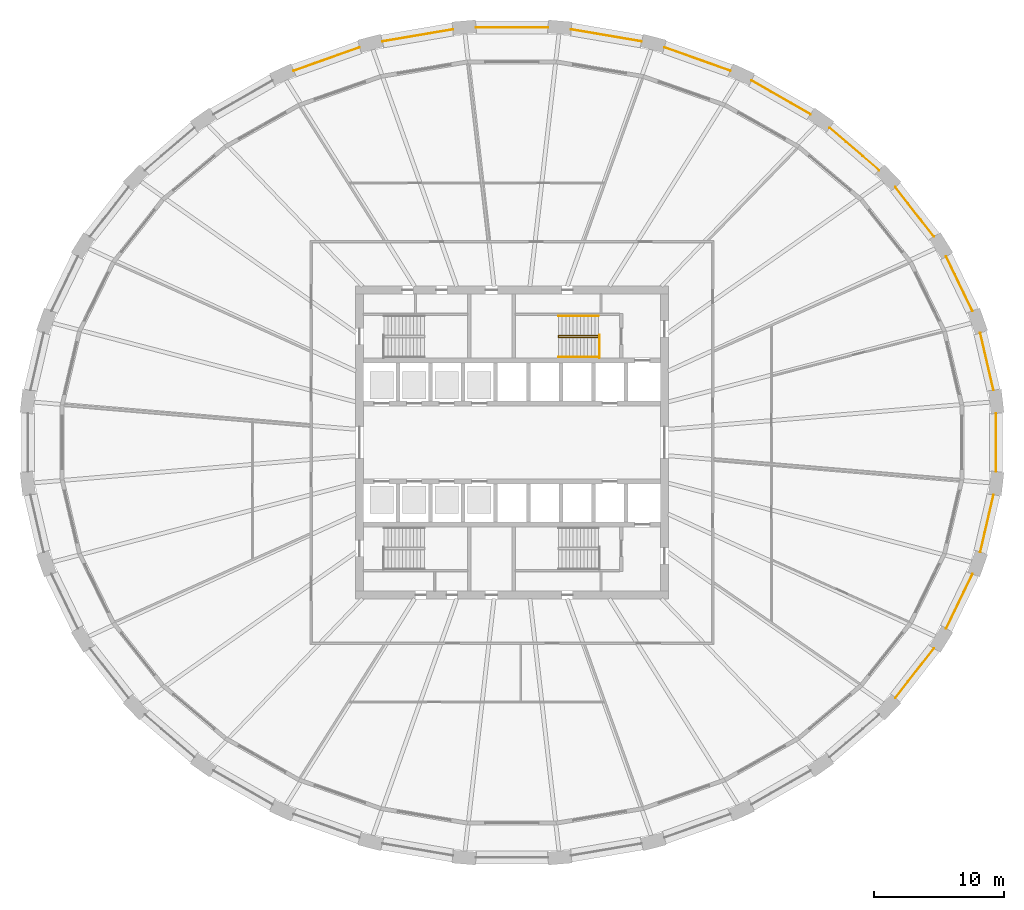
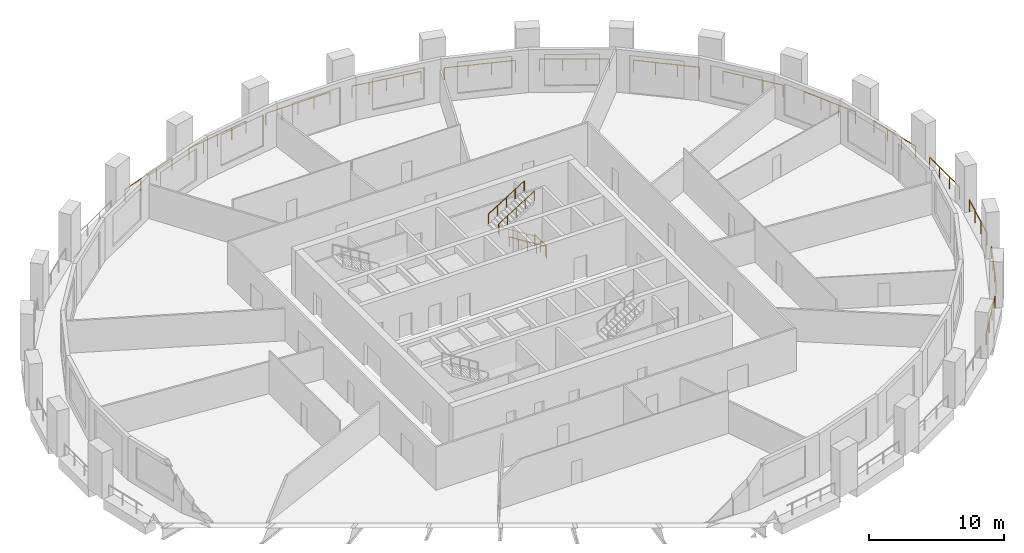
# One storey, part 9 of 10: 18 railings.
"""IFC4 building model written with IfcOpenShell, lengths in metres."""

from ifc_helpers import new_model, si_unit, direction, frame, origin, origin_2d, place, context, subcontext, project, spatial, circle, extrude, material, type_object, element, save


model = new_model("IFC4")

# Units and contexts
model_context = context("Model", 3, precision=1e-05, world=origin(), true_north=direction((0.0, 1.0)))
body_context = subcontext(model_context, "Body", "Model", "MODEL_VIEW")
ifc_project = project(units=[si_unit("LENGTHUNIT", "METRE"), si_unit("AREAUNIT", "SQUARE_METRE"), si_unit("VOLUMEUNIT", "CUBIC_METRE"), si_unit("PLANEANGLEUNIT", "RADIAN"), si_unit("MASSUNIT", "GRAM", prefix="KILO")], contexts=[model_context])

# Site, building, storey
site_placement = place(None, origin())
site = spatial("IfcSite", under=ifc_project, at=site_placement, CompositionType="ELEMENT")
building_placement = place(site_placement, origin())
building = spatial("IfcBuilding", under=site, at=building_placement, Name="Halqa Exchange Tower", CompositionType="ELEMENT")
storey_placement = place(building_placement, frame((0.0, 0.0, 52.89990234375)))
storey = spatial("IfcBuildingStorey", under=building, at=storey_placement, Name="L11", CompositionType="ELEMENT", Elevation=52.89990234375)

# Railings
ifc_material = material(Name="Stainless steel", Category="steel")
railing_type_1 = type_object("IfcRailingType", Name="Guard 1100 stainless steel", PredefinedType="GUARDRAIL", material=ifc_material)
railing_1_placement = place(storey_placement, frame((36.9326171875, 4.01171875, 0.0)))
element("IfcRailing", 1, at=railing_1_placement, inside=storey, type_object=railing_type_1, Name="Loggia guard 1", PredefinedType="GUARDRAIL", context=body_context, shape_type="SweptSolid", body=[
    extrude(circle(Radius=0.02392578125, at=origin_2d()), frame((0.0, 0.0, 1.076171875), z_axis=(-0.226056381748, 0.974114219315, 0.0), x_axis=(-0.974114219315, -0.226056381748, 0.0)), (0.0, 0.0, 1.0), 4.513427734375),
    extrude(circle(Radius=0.02099609375, at=origin_2d()), origin(), (0.0, 0.0, 1.0), 1.052001953125),
    extrude(circle(Radius=0.02099609375, at=origin_2d()), frame((-0.340087890625, 1.465576171875, 0.0)), (0.0, 0.0, 1.0), 1.052001953125),
    extrude(circle(Radius=0.02099609375, at=origin_2d()), frame((-0.68017578125, 2.930908203125, 0.0)), (0.0, 0.0, 1.0), 1.052001953125),
    extrude(circle(Radius=0.02099609375, at=origin_2d()), frame((-1.020263671875, 4.396484375, 0.0)), (0.0, 0.0, 1.0), 1.052001953125),
])
railing_2_placement = place(storey_placement, frame((35.3173828125, 10.09521484375, 0.0)))
element("IfcRailing", 2, at=railing_2_placement, inside=storey, type_object=railing_type_1, Name="Loggia guard 2", PredefinedType="GUARDRAIL", context=body_context, shape_type="SweptSolid", body=[
    extrude(circle(Radius=0.02392578125, at=origin_2d()), frame((0.0, 0.0, 1.076171875), z_axis=(-0.435096763468, 0.900383699552, 0.0), x_axis=(-0.900383699552, -0.435096763468, 0.0)), (0.0, 0.0, 1.0), 4.6337890625),
    extrude(circle(Radius=0.02099609375, at=origin_2d()), origin(), (0.0, 0.0, 1.0), 1.052001953125),
    extrude(circle(Radius=0.02099609375, at=origin_2d()), frame((-0.672119140625, 1.390625, 0.0)), (0.0, 0.0, 1.0), 1.052001953125),
    extrude(circle(Radius=0.02099609375, at=origin_2d()), frame((-1.343994140625, 2.781494140625, 0.0)), (0.0, 0.0, 1.0), 1.052001953125),
    extrude(circle(Radius=0.02099609375, at=origin_2d()), frame((-2.01611328125, 4.172119140625, 0.0)), (0.0, 0.0, 1.0), 1.052001953125),
])
railing_3_placement = place(storey_placement, frame((32.356201171875, 15.787353515625, 0.0)))
element("IfcRailing", 3, at=railing_3_placement, inside=storey, type_object=railing_type_1, Name="Loggia guard 3", PredefinedType="GUARDRAIL", context=body_context, shape_type="SweptSolid", body=[
    extrude(circle(Radius=0.02392578125, at=origin_2d()), frame((0.0, 0.0, 1.076171875), z_axis=(-0.61480458382, 0.788679480977, 0.0), x_axis=(-0.788679480977, -0.61480458382, 0.0)), (0.0, 0.0, 1.0), 4.810546875),
    extrude(circle(Radius=0.02099609375, at=origin_2d()), origin(), (0.0, 0.0, 1.0), 1.052001953125),
    extrude(circle(Radius=0.02099609375, at=origin_2d()), frame((-0.98583984375, 1.2646484375, 0.0)), (0.0, 0.0, 1.0), 1.052001953125),
    extrude(circle(Radius=0.02099609375, at=origin_2d()), frame((-1.9716796875, 2.529296875, 0.0)), (0.0, 0.0, 1.0), 1.052001953125),
    extrude(circle(Radius=0.02099609375, at=origin_2d()), frame((-2.95751953125, 3.7939453125, 0.0)), (0.0, 0.0, 1.0), 1.052001953125),
])
railing_4_placement = place(storey_placement, frame((28.162109375, 20.876708984375, 0.0)))
element("IfcRailing", 4, at=railing_4_placement, inside=storey, type_object=railing_type_1, Name="Loggia guard 4", PredefinedType="GUARDRAIL", context=body_context, shape_type="SweptSolid", body=[
    extrude(circle(Radius=0.02392578125, at=origin_2d()), frame((0.0, 0.0, 1.076171875), z_axis=(-0.759256602365, 0.650791373456, 0.0), x_axis=(-0.650791373456, -0.759256602365, 0.0)), (0.0, 0.0, 1.0), 5.0126953125),
    extrude(circle(Radius=0.02099609375, at=origin_2d()), origin(), (0.0, 0.0, 1.0), 1.052001953125),
    extrude(circle(Radius=0.02099609375, at=origin_2d()), frame((-1.2685546875, 1.08740234375, 0.0)), (0.0, 0.0, 1.0), 1.052001953125),
    extrude(circle(Radius=0.02099609375, at=origin_2d()), frame((-2.537353515625, 2.1748046875, 0.0)), (0.0, 0.0, 1.0), 1.052001953125),
    extrude(circle(Radius=0.02099609375, at=origin_2d()), frame((-3.805908203125, 3.26220703125, 0.0)), (0.0, 0.0, 1.0), 1.052001953125),
])
railing_5_placement = place(storey_placement, frame((22.891845703125, 25.172119140625, 0.0)))
element("IfcRailing", 5, at=railing_5_placement, inside=storey, type_object=railing_type_1, Name="Loggia guard 5", PredefinedType="GUARDRAIL", context=body_context, shape_type="SweptSolid", body=[
    extrude(circle(Radius=0.02392578125, at=origin_2d()), frame((0.0, 0.0, 1.076171875), z_axis=(-0.867758186628, 0.496986649258, 0.0), x_axis=(-0.496986649258, -0.867758186628, 0.0)), (0.0, 0.0, 1.0), 5.209228515625),
    extrude(circle(Radius=0.02099609375, at=origin_2d()), origin(), (0.0, 0.0, 1.0), 1.052001953125),
    extrude(circle(Radius=0.02099609375, at=origin_2d()), frame((-1.5068359375, 0.863037109375, 0.0)), (0.0, 0.0, 1.0), 1.052001953125),
    extrude(circle(Radius=0.02099609375, at=origin_2d()), frame((-3.013427734375, 1.725830078125, 0.0)), (0.0, 0.0, 1.0), 1.052001953125),
    extrude(circle(Radius=0.02099609375, at=origin_2d()), frame((-4.520263671875, 2.5888671875, 0.0)), (0.0, 0.0, 1.0), 1.052001953125),
])
railing_6_placement = place(storey_placement, frame((16.742431640625, 28.509521484375, 0.0)))
element("IfcRailing", 6, at=railing_6_placement, inside=storey, type_object=railing_type_1, Name="Loggia guard 6", PredefinedType="GUARDRAIL", context=body_context, shape_type="SweptSolid", body=[
    extrude(circle(Radius=0.02392578125, at=origin_2d()), frame((0.0, 0.0, 1.076171875), z_axis=(-0.942373671262, 0.334562197075, 0.0), x_axis=(-0.334562197075, -0.942373671262, 0.0)), (0.0, 0.0, 1.0), 5.37158203125),
    extrude(circle(Radius=0.02099609375, at=origin_2d()), origin(), (0.0, 0.0, 1.0), 1.052001953125),
    extrude(circle(Radius=0.02099609375, at=origin_2d()), frame((-1.687255859375, 0.59912109375, 0.0)), (0.0, 0.0, 1.0), 1.052001953125),
    extrude(circle(Radius=0.02099609375, at=origin_2d()), frame((-3.374755859375, 1.197998046875, 0.0)), (0.0, 0.0, 1.0), 1.052001953125),
    extrude(circle(Radius=0.02099609375, at=origin_2d()), frame((-5.06201171875, 1.797119140625, 0.0)), (0.0, 0.0, 1.0), 1.052001953125),
])
railing_7_placement = place(storey_placement, frame((9.945068359375, 30.759033203125, 0.0)))
element("IfcRailing", 7, at=railing_7_placement, inside=storey, type_object=railing_type_1, Name="Loggia guard 7", PredefinedType="GUARDRAIL", context=body_context, shape_type="SweptSolid", body=[
    extrude(circle(Radius=0.02392578125, at=origin_2d()), frame((0.0, 0.0, 1.076171875), z_axis=(-0.985776430596, 0.168061979284, 0.0), x_axis=(-0.168061979284, -0.985776430596, 0.0)), (0.0, 0.0, 1.0), 5.47802734375),
    extrude(circle(Radius=0.02099609375, at=origin_2d()), origin(), (0.0, 0.0, 1.0), 1.052001953125),
    extrude(circle(Radius=0.02099609375, at=origin_2d()), frame((-1.35009765625, 0.230224609375, 0.0)), (0.0, 0.0, 1.0), 1.052001953125),
    extrude(circle(Radius=0.02099609375, at=origin_2d()), frame((-2.7001953125, 0.46044921875, 0.0)), (0.0, 0.0, 1.0), 1.052001953125),
    extrude(circle(Radius=0.02099609375, at=origin_2d()), frame((-4.050048828125, 0.6904296875, 0.0)), (0.0, 0.0, 1.0), 1.052001953125),
    extrude(circle(Radius=0.02099609375, at=origin_2d()), frame((-5.400146484375, 0.920654296875, 0.0)), (0.0, 0.0, 1.0), 1.052001953125),
])
railing_8_placement = place(storey_placement, frame((2.757568359375, 31.8310546875, 0.0)))
element("IfcRailing", 8, at=railing_8_placement, inside=storey, type_object=railing_type_1, Name="Loggia guard 8", PredefinedType="GUARDRAIL", context=body_context, shape_type="SweptSolid", body=[
    extrude(circle(Radius=0.02392578125, at=origin_2d()), frame((0.0, 0.0, 1.076171875), z_axis=(-1.0, 0.0, 0.0), x_axis=(0.0, -1.0, 0.0)), (0.0, 0.0, 1.0), 5.51513671875),
    extrude(circle(Radius=0.02099609375, at=origin_2d()), origin(), (0.0, 0.0, 1.0), 1.052001953125),
    extrude(circle(Radius=0.02099609375, at=origin_2d()), frame((-1.37890625, 0.0, 0.0)), (0.0, 0.0, 1.0), 1.052001953125),
    extrude(circle(Radius=0.02099609375, at=origin_2d()), frame((-2.757568359375, 0.0, 0.0)), (0.0, 0.0, 1.0), 1.052001953125),
    extrude(circle(Radius=0.02099609375, at=origin_2d()), frame((-4.13623046875, 0.0, 0.0)), (0.0, 0.0, 1.0), 1.052001953125),
    extrude(circle(Radius=0.02099609375, at=origin_2d()), frame((-5.51513671875, 0.0, 0.0)), (0.0, 0.0, 1.0), 1.052001953125),
])
railing_9_placement = place(storey_placement, frame((-4.544921875, 31.6796875, 0.0)))
element("IfcRailing", 9, at=railing_9_placement, inside=storey, type_object=railing_type_1, Name="Loggia guard 9", PredefinedType="GUARDRAIL", context=body_context, shape_type="SweptSolid", body=[
    extrude(circle(Radius=0.02392578125, at=origin_2d()), frame((0.0, 0.0, 1.076171875), z_axis=(-0.985776430596, -0.168061979284, 0.0), x_axis=(0.168061979284, -0.985776430596, 0.0)), (0.0, 0.0, 1.0), 5.47802734375),
    extrude(circle(Radius=0.02099609375, at=origin_2d()), origin(), (0.0, 0.0, 1.0), 1.052001953125),
    extrude(circle(Radius=0.02099609375, at=origin_2d()), frame((-1.35009765625, -0.230224609375, 0.0)), (0.0, 0.0, 1.0), 1.052001953125),
    extrude(circle(Radius=0.02099609375, at=origin_2d()), frame((-2.7001953125, -0.46044921875, 0.0)), (0.0, 0.0, 1.0), 1.052001953125),
    extrude(circle(Radius=0.02099609375, at=origin_2d()), frame((-4.050048828125, -0.6904296875, 0.0)), (0.0, 0.0, 1.0), 1.052001953125),
    extrude(circle(Radius=0.02099609375, at=origin_2d()), frame((-5.400146484375, -0.920654296875, 0.0)), (0.0, 0.0, 1.0), 1.052001953125),
])
railing_10_placement = place(storey_placement, frame((-11.680419921875, 30.306640625, 0.0)))
element("IfcRailing", 10, at=railing_10_placement, inside=storey, type_object=railing_type_1, Name="Loggia guard 10", PredefinedType="GUARDRAIL", context=body_context, shape_type="SweptSolid", body=[
    extrude(circle(Radius=0.02392578125, at=origin_2d()), frame((0.0, 0.0, 1.076171875), z_axis=(-0.942373671262, -0.334562197075, 0.0), x_axis=(0.334562197075, -0.942373671262, 0.0)), (0.0, 0.0, 1.0), 5.37158203125),
    extrude(circle(Radius=0.02099609375, at=origin_2d()), origin(), (0.0, 0.0, 1.0), 1.052001953125),
    extrude(circle(Radius=0.02099609375, at=origin_2d()), frame((-1.687255859375, -0.59912109375, 0.0)), (0.0, 0.0, 1.0), 1.052001953125),
    extrude(circle(Radius=0.02099609375, at=origin_2d()), frame((-3.374755859375, -1.197998046875, 0.0)), (0.0, 0.0, 1.0), 1.052001953125),
    extrude(circle(Radius=0.02099609375, at=origin_2d()), frame((-5.06201171875, -1.797119140625, 0.0)), (0.0, 0.0, 1.0), 1.052001953125),
])
railing_11_placement = place(storey_placement, frame((29.398681640625, -19.581298828125, 0.0)))
element("IfcRailing", 11, at=railing_11_placement, inside=storey, type_object=railing_type_1, Name="Loggia guard 29", PredefinedType="GUARDRAIL", context=body_context, shape_type="SweptSolid", body=[
    extrude(circle(Radius=0.02392578125, at=origin_2d()), frame((0.0, 0.0, 1.076171875), z_axis=(0.61480458382, 0.788679480977, 0.0), x_axis=(-0.788679480977, 0.61480458382, 0.0)), (0.0, 0.0, 1.0), 4.810546875),
    extrude(circle(Radius=0.02099609375, at=origin_2d()), origin(), (0.0, 0.0, 1.0), 1.052001953125),
    extrude(circle(Radius=0.02099609375, at=origin_2d()), frame((0.98583984375, 1.2646484375, 0.0)), (0.0, 0.0, 1.0), 1.052001953125),
    extrude(circle(Radius=0.02099609375, at=origin_2d()), frame((1.9716796875, 2.529296875, 0.0)), (0.0, 0.0, 1.0), 1.052001953125),
    extrude(circle(Radius=0.02099609375, at=origin_2d()), frame((2.95751953125, 3.7939453125, 0.0)), (0.0, 0.0, 1.0), 1.052001953125),
])
railing_12_placement = place(storey_placement, frame((33.30126953125, -14.267333984375, 0.0)))
element("IfcRailing", 12, at=railing_12_placement, inside=storey, type_object=railing_type_1, Name="Loggia guard 30", PredefinedType="GUARDRAIL", context=body_context, shape_type="SweptSolid", body=[
    extrude(circle(Radius=0.02392578125, at=origin_2d()), frame((0.0, 0.0, 1.076171875), z_axis=(0.435096763468, 0.900383699552, 0.0), x_axis=(-0.900383699552, 0.435096763468, 0.0)), (0.0, 0.0, 1.0), 4.6337890625),
    extrude(circle(Radius=0.02099609375, at=origin_2d()), origin(), (0.0, 0.0, 1.0), 1.052001953125),
    extrude(circle(Radius=0.02099609375, at=origin_2d()), frame((0.672119140625, 1.390625, 0.0)), (0.0, 0.0, 1.0), 1.052001953125),
    extrude(circle(Radius=0.02099609375, at=origin_2d()), frame((1.343994140625, 2.781494140625, 0.0)), (0.0, 0.0, 1.0), 1.052001953125),
    extrude(circle(Radius=0.02099609375, at=origin_2d()), frame((2.01611328125, 4.172119140625, 0.0)), (0.0, 0.0, 1.0), 1.052001953125),
])
railing_13_placement = place(storey_placement, frame((35.912353515625, -8.408203125, 0.0)))
element("IfcRailing", 13, at=railing_13_placement, inside=storey, type_object=railing_type_1, Name="Loggia guard 31", PredefinedType="GUARDRAIL", context=body_context, shape_type="SweptSolid", body=[
    extrude(circle(Radius=0.02392578125, at=origin_2d()), frame((0.0, 0.0, 1.076171875), z_axis=(0.226056381748, 0.974114219315, 0.0), x_axis=(-0.974114219315, 0.226056381748, 0.0)), (0.0, 0.0, 1.0), 4.513427734375),
    extrude(circle(Radius=0.02099609375, at=origin_2d()), origin(), (0.0, 0.0, 1.0), 1.052001953125),
    extrude(circle(Radius=0.02099609375, at=origin_2d()), frame((0.340087890625, 1.465576171875, 0.0)), (0.0, 0.0, 1.0), 1.052001953125),
    extrude(circle(Radius=0.02099609375, at=origin_2d()), frame((0.68017578125, 2.930908203125, 0.0)), (0.0, 0.0, 1.0), 1.052001953125),
    extrude(circle(Radius=0.02099609375, at=origin_2d()), frame((1.020263671875, 4.396484375, 0.0)), (0.0, 0.0, 1.0), 1.052001953125),
])
railing_14_placement = place(storey_placement, frame((37.135986328125, -2.235107421875, 0.0)))
element("IfcRailing", 14, at=railing_14_placement, inside=storey, type_object=railing_type_1, Name="Loggia guard 32", PredefinedType="GUARDRAIL", context=body_context, shape_type="SweptSolid", body=[
    extrude(circle(Radius=0.02392578125, at=origin_2d()), frame((0.0, 0.0, 1.076171875), z_axis=(0.0, 1.0, 0.0), x_axis=(-1.0, 0.0, 0.0)), (0.0, 0.0, 1.0), 4.47021484375),
    extrude(circle(Radius=0.02099609375, at=origin_2d()), origin(), (0.0, 0.0, 1.0), 1.052001953125),
    extrude(circle(Radius=0.02099609375, at=origin_2d()), frame((0.0, 1.489990234375, 0.0)), (0.0, 0.0, 1.0), 1.052001953125),
    extrude(circle(Radius=0.02099609375, at=origin_2d()), frame((0.0, 2.980224609375, 0.0)), (0.0, 0.0, 1.0), 1.052001953125),
    extrude(circle(Radius=0.02099609375, at=origin_2d()), frame((0.0, 4.47021484375, 0.0)), (0.0, 0.0, 1.0), 1.052001953125),
])
railing_type_2 = type_object("IfcRailingType", Name="Stair handrail 900", PredefinedType="HANDRAIL", material=ifc_material)
railing_15_placement = place(storey_placement, frame((6.64990234375, 8.06005859375, 0.175048828125)))
element("IfcRailing", 15, at=railing_15_placement, inside=storey, type_object=railing_type_2, Name="Handrail ST2.1", PredefinedType="HANDRAIL", context=body_context, shape_type="SweptSolid", body=[
    extrude(circle(Radius=0.02392578125, at=origin_2d()), frame((0.0, 0.0, 0.8759765625), z_axis=(-0.847979421464, 0.0, 0.530029150871), x_axis=(0.0, -1.0, 0.0)), (0.0, 0.0, 1.0), 3.632080078125),
    extrude(circle(Radius=0.02392578125, at=origin_2d()), frame((-3.079833984375, 0.0, 2.80078125), z_axis=(0.0, 0.595870227118, 0.803080738428), x_axis=(-1.0, 0.0, 0.0)), (0.0, 0.0, 1.0), 0.218017578125),
    extrude(circle(Radius=0.02392578125, at=origin_2d()), frame((-3.079833984375, 0.1298828125, 2.97607421875), z_axis=(0.847979421464, 0.0, 0.530029150871), x_axis=(0.0, 1.0, 0.0)), (0.0, 0.0, 1.0), 3.632080078125),
    extrude(circle(Radius=0.02099609375, at=origin_2d()), origin(), (0.0, 0.0, 1.0), 0.851806640625),
    extrude(circle(Radius=0.02099609375, at=origin_2d()), frame((-0.77001953125, 0.0, 0.481201171875)), (0.0, 0.0, 1.0), 0.851806640625),
    extrude(circle(Radius=0.02099609375, at=origin_2d()), frame((-1.5400390625, 0.0, 0.96240234375)), (0.0, 0.0, 1.0), 0.851806640625),
    extrude(circle(Radius=0.02099609375, at=origin_2d()), frame((-2.309814453125, 0.0, 1.44384765625)), (0.0, 0.0, 1.0), 0.851806640625),
    extrude(circle(Radius=0.02099609375, at=origin_2d()), frame((-3.079833984375, 0.0, 1.925048828125)), (0.0, 0.0, 1.0), 0.851806640625),
    extrude(circle(Radius=0.02099609375, at=origin_2d()), frame((-3.079833984375, 0.1298828125, 2.10009765625)), (0.0, 0.0, 1.0), 0.851806640625),
    extrude(circle(Radius=0.02099609375, at=origin_2d()), frame((-2.309814453125, 0.1298828125, 2.581298828125)), (0.0, 0.0, 1.0), 0.851806640625),
    extrude(circle(Radius=0.02099609375, at=origin_2d()), frame((-1.5400390625, 0.1298828125, 3.0625)), (0.0, 0.0, 1.0), 0.851806640625),
    extrude(circle(Radius=0.02099609375, at=origin_2d()), frame((-0.77001953125, 0.1298828125, 3.5439453125)), (0.0, 0.0, 1.0), 0.851806640625),
    extrude(circle(Radius=0.02099609375, at=origin_2d()), frame((0.0, 0.1298828125, 4.025146484375)), (0.0, 0.0, 1.0), 0.851806640625),
])
railing_16_placement = place(storey_placement, frame((6.64990234375, 6.550048828125, 0.175048828125)))
element("IfcRailing", 16, at=railing_16_placement, inside=storey, type_object=railing_type_2, Name="Handrail ST2.2", PredefinedType="HANDRAIL", context=body_context, shape_type="SweptSolid", body=[
    extrude(circle(Radius=0.02392578125, at=origin_2d()), frame((0.0, 0.0, 0.8759765625), z_axis=(-0.847979421464, 0.0, 0.530029150871), x_axis=(0.0, -1.0, 0.0)), (0.0, 0.0, 1.0), 3.632080078125),
    extrude(circle(Radius=0.02099609375, at=origin_2d()), origin(), (0.0, 0.0, 1.0), 0.851806640625),
    extrude(circle(Radius=0.02099609375, at=origin_2d()), frame((-0.77001953125, 0.0, 0.481201171875)), (0.0, 0.0, 1.0), 0.851806640625),
    extrude(circle(Radius=0.02099609375, at=origin_2d()), frame((-1.5400390625, 0.0, 0.96240234375)), (0.0, 0.0, 1.0), 0.851806640625),
    extrude(circle(Radius=0.02099609375, at=origin_2d()), frame((-2.309814453125, 0.0, 1.44384765625)), (0.0, 0.0, 1.0), 0.851806640625),
    extrude(circle(Radius=0.02099609375, at=origin_2d()), frame((-3.079833984375, 0.0, 1.925048828125)), (0.0, 0.0, 1.0), 0.851806640625),
])
railing_17_placement = place(storey_placement, frame((3.570068359375, 9.699951171875, 2.275146484375)))
element("IfcRailing", 17, at=railing_17_placement, inside=storey, type_object=railing_type_2, Name="Handrail ST2.3", PredefinedType="HANDRAIL", context=body_context, shape_type="SweptSolid", body=[
    extrude(circle(Radius=0.02392578125, at=origin_2d()), frame((0.0, 0.0, 0.8759765625), z_axis=(0.847979421464, 0.0, 0.530029150871), x_axis=(0.0, 1.0, 0.0)), (0.0, 0.0, 1.0), 3.632080078125),
    extrude(circle(Radius=0.02099609375, at=origin_2d()), origin(), (0.0, 0.0, 1.0), 0.851806640625),
    extrude(circle(Radius=0.02099609375, at=origin_2d()), frame((0.77001953125, 0.0, 0.481201171875)), (0.0, 0.0, 1.0), 0.851806640625),
    extrude(circle(Radius=0.02099609375, at=origin_2d()), frame((1.5400390625, 0.0, 0.96240234375)), (0.0, 0.0, 1.0), 0.851806640625),
    extrude(circle(Radius=0.02099609375, at=origin_2d()), frame((2.309814453125, 0.0, 1.44384765625)), (0.0, 0.0, 1.0), 0.851806640625),
    extrude(circle(Radius=0.02099609375, at=origin_2d()), frame((3.079833984375, 0.0, 1.925048828125)), (0.0, 0.0, 1.0), 0.851806640625),
])
railing_type_3 = type_object("IfcRailingType", Name="Stair well guard 1100", PredefinedType="GUARDRAIL", material=ifc_material)
railing_18_placement = place(storey_placement, frame((6.699951171875, 6.5, 0.0)))
element("IfcRailing", 18, at=railing_18_placement, inside=storey, type_object=railing_type_3, Name="Guard ST2 well", PredefinedType="GUARDRAIL", context=body_context, shape_type="SweptSolid", body=[
    extrude(circle(Radius=0.02392578125, at=origin_2d()), frame((0.0, 0.0, 1.076171875), z_axis=(0.0, 1.0, 0.0), x_axis=(-1.0, 0.0, 0.0)), (0.0, 0.0, 1.0), 1.75),
    extrude(circle(Radius=0.02099609375, at=origin_2d()), origin(), (0.0, 0.0, 1.0), 1.052001953125),
    extrude(circle(Radius=0.02099609375, at=origin_2d()), frame((0.0, 0.875, 0.0)), (0.0, 0.0, 1.0), 1.052001953125),
    extrude(circle(Radius=0.02099609375, at=origin_2d()), frame((0.0, 1.75, 0.0)), (0.0, 0.0, 1.0), 1.052001953125),
])

save(model, "model.ifc")
